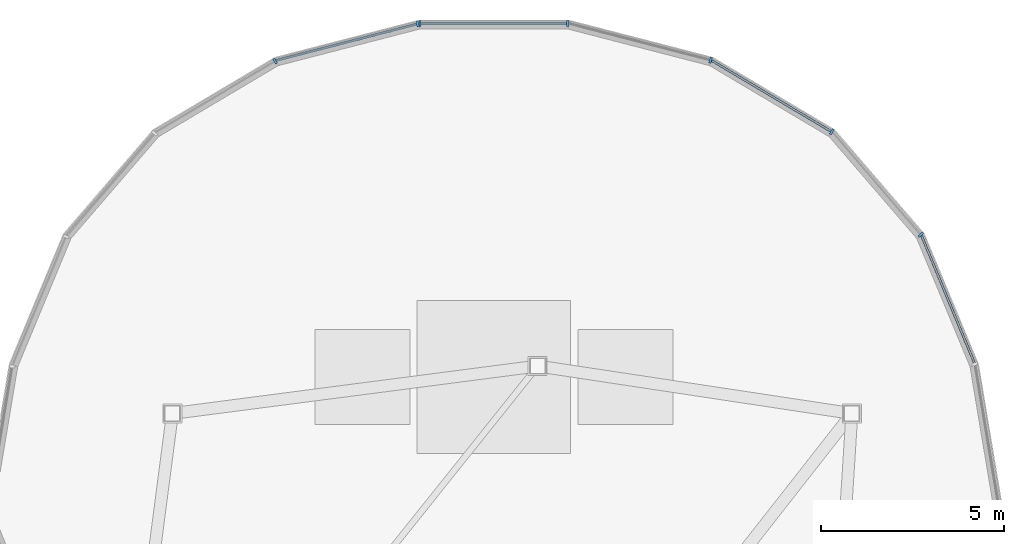
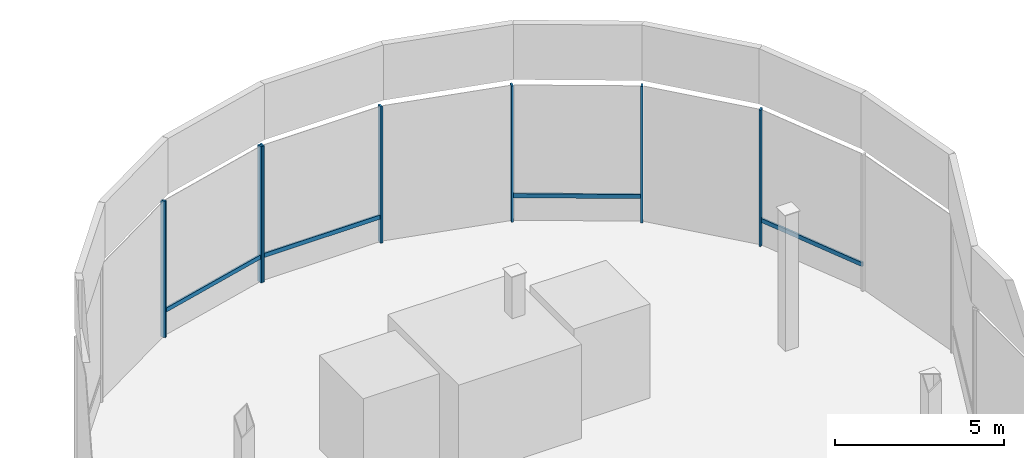
# One storey, part 8 of 14: 11 members, 2 elements without a shape of their own.
"""IFC4 building model written with IfcOpenShell, lengths in metres."""

from ifc_helpers import new_model, si_unit, direction, frame, origin, origin_2d, place, context, subcontext, project, spatial, rectangle, extrude, material, material_profile, profile_set, type_object, element, aggregate, save


model = new_model("IFC4")

# Units and contexts
model_context = context("Model", 3, precision=1e-05, world=origin(), true_north=direction((0.0, 1.0)))
body_context = subcontext(model_context, "Body", "Model", "MODEL_VIEW")
ifc_project = project(units=[si_unit("LENGTHUNIT", "METRE"), si_unit("AREAUNIT", "SQUARE_METRE"), si_unit("VOLUMEUNIT", "CUBIC_METRE"), si_unit("PLANEANGLEUNIT", "RADIAN"), si_unit("MASSUNIT", "GRAM", prefix="KILO"), si_unit("THERMODYNAMICTEMPERATUREUNIT", "KELVIN"), si_unit("POWERUNIT", "WATT")], contexts=[model_context])

# Site, building, storey
site_placement = place(None, origin())
site = spatial("IfcSite", under=ifc_project, at=site_placement, CompositionType="ELEMENT")
building_placement = place(site_placement, origin())
building = spatial("IfcBuilding", under=site, at=building_placement, Name="Cundina Bronze Exchange", CompositionType="ELEMENT")
storey_placement = place(building_placement, frame((0.0, 0.0, 286.39990234375)))
storey = spatial("IfcBuildingStorey", under=building, at=storey_placement, Name="L76", CompositionType="ELEMENT", Elevation=286.39990234375)

# Curtain wall, members
ifc_material = material(Name="Anodised Bronze Aluminium 6063-T6", Category="aluminium")
curtain_wall_type = type_object("IfcCurtainWallType", Name="CWS-CRN-TMD", PredefinedType="NOTDEFINED", material=ifc_material)
curtain_wall_1_placement = place(storey_placement, origin())
curtain_wall_1 = element("IfcCurtainWall", 1, at=curtain_wall_1_placement, inside=storey, type_object=curtain_wall_type, Name="L76 CW-07 Curtain Wall Run CWR-L76-E1", PredefinedType="NOTDEFINED")
ifc_material_profile_1 = material_profile(ifc_material, rectangle(XDim=0.06494140625, YDim=0.159912109375, at=origin_2d()), Name="AL65X160", Category="aluminium")
ifc_profile_set_1 = profile_set([ifc_material_profile_1], Name="Anodised Bronze Aluminium 6063-T6")
member_type_1 = type_object("IfcMemberType", Name="CWM-MUL-160", PredefinedType="MULLION", material=ifc_profile_set_1)
member_1_placement = place(storey_placement, frame((43.685546875, 14.394287109375, 0.0), z_axis=(0.0, 0.0, 1.0), x_axis=(-0.652495272634, 0.757792794364, 0.0)))
member_1 = element("IfcMember", 2, at=member_1_placement, type_object=member_type_1, Name="CW-07 Mullion 4", PredefinedType="MULLION", context=body_context, shape_type="SweptSolid", body=[
    extrude(rectangle(XDim=0.06494140625, YDim=0.159912109375, at=origin_2d()), origin(), (0.0, 0.0, 1.0), 4.93017578125),
])
member_2_placement = place(storey_placement, frame((41.248779296875, 17.210205078125, 0.0), z_axis=(0.0, 0.0, 1.0), x_axis=(-0.859763151952, 0.510692982667, 0.0)))
member_2 = element("IfcMember", 3, at=member_2_placement, type_object=member_type_1, Name="CW-07 Mullion 5", PredefinedType="MULLION", context=body_context, shape_type="SweptSolid", body=[
    extrude(rectangle(XDim=0.06494140625, YDim=0.159912109375, at=origin_2d()), origin(), (0.0, 0.0, 1.0), 4.93017578125),
])
member_3_placement = place(storey_placement, frame((37.932861328125, 19.169677734375, 0.0), z_axis=(0.0, 0.0, 1.0), x_axis=(-0.968147640378, 0.250380004054, 0.0)))
member_3 = element("IfcMember", 4, at=member_3_placement, type_object=member_type_1, Name="CW-07 Mullion 6", PredefinedType="MULLION", context=body_context, shape_type="SweptSolid", body=[
    extrude(rectangle(XDim=0.06494140625, YDim=0.159912109375, at=origin_2d()), origin(), (0.0, 0.0, 1.0), 4.93017578125),
])
member_4_placement = place(storey_placement, frame((34.0234375, 20.172119140625, 0.0), z_axis=(0.0, 0.0, 1.0), x_axis=(-1.0, 0.0, 0.0)))
member_4 = element("IfcMember", 5, at=member_4_placement, type_object=member_type_1, Name="CW-07 Mullion 7", PredefinedType="MULLION", context=body_context, shape_type="SweptSolid", body=[
    extrude(rectangle(XDim=0.06494140625, YDim=0.159912109375, at=origin_2d()), origin(), (0.0, 0.0, 1.0), 4.93017578125),
])
member_5_placement = place(storey_placement, frame((29.9765625, 20.172119140625, 0.0), z_axis=(0.0, 0.0, 1.0), x_axis=(-1.0, 0.0, 0.0)))
member_5 = element("IfcMember", 6, at=member_5_placement, type_object=member_type_1, Name="CW-07 End Mullion", PredefinedType="MULLION", context=body_context, shape_type="SweptSolid", body=[
    extrude(rectangle(XDim=0.06494140625, YDim=0.159912109375, at=origin_2d()), origin(), (0.0, 0.0, 1.0), 4.93017578125),
])

curtain_wall_2_placement = place(storey_placement, origin())
curtain_wall_2 = element("IfcCurtainWall", 7, at=curtain_wall_2_placement, inside=storey, type_object=curtain_wall_type, Name="L76 CW-07 Curtain Wall Run CWR-L76-E2", PredefinedType="NOTDEFINED")
member_6_placement = place(storey_placement, frame((29.912109375, 20.163818359375, 0.0), z_axis=(0.0, 0.0, 1.0), x_axis=(-0.968147640378, -0.250380004054, 0.0)))
member_6 = element("IfcMember", 8, at=member_6_placement, type_object=member_type_1, Name="CW-07 Mullion 1", PredefinedType="MULLION", context=body_context, shape_type="SweptSolid", body=[
    extrude(rectangle(XDim=0.06494140625, YDim=0.159912109375, at=origin_2d()), origin(), (0.0, 0.0, 1.0), 4.93017578125),
])
member_7_placement = place(storey_placement, frame((26.010009765625, 19.145751953125, 0.0), z_axis=(0.0, 0.0, 1.0), x_axis=(-0.859763151952, -0.510692982667, 0.0)))
member_7 = element("IfcMember", 9, at=member_7_placement, type_object=member_type_1, Name="CW-07 Mullion 2", PredefinedType="MULLION", context=body_context, shape_type="SweptSolid", body=[
    extrude(rectangle(XDim=0.06494140625, YDim=0.159912109375, at=origin_2d()), origin(), (0.0, 0.0, 1.0), 4.93017578125),
])

# Member
ifc_material_profile_2 = material_profile(ifc_material, rectangle(XDim=0.06494140625, YDim=0.14990234375, at=origin_2d()), Name="AL65X150", Category="aluminium")
ifc_profile_set_2 = profile_set([ifc_material_profile_2], Name="Anodised Bronze Aluminium 6063-T6")
member_type_2 = type_object("IfcMemberType", Name="CWM-TRN-150", PredefinedType="USERDEFINED", material=ifc_profile_set_2)
member_8_placement = place(storey_placement, frame((45.151611328125, 10.8896484375, 0.920166015625), z_axis=(-0.383683502182, 0.923464655606, 0.0), x_axis=(-0.923464655606, -0.383683502182, 0.0)))
member_8 = element("IfcMember", 10, at=member_8_placement, type_object=member_type_2, Name="CW-07 Spandrel Transom 3", ObjectType="TRANSOM", PredefinedType="USERDEFINED", context=body_context, shape_type="SweptSolid", body=[
    extrude(rectangle(XDim=0.06494140625, YDim=0.14990234375, at=origin_2d()), origin(), (0.0, 0.0, 1.0), 3.777099609375),
])

member_9_placement = place(storey_placement, frame((41.218017578125, 17.228515625, 0.920166015625), z_axis=(-0.859780509017, 0.510663760525, 0.0), x_axis=(-0.510663760525, -0.859780509017, 0.0)))
member_9 = element("IfcMember", 11, at=member_9_placement, type_object=member_type_2, Name="CW-07 Spandrel Transom 5", ObjectType="TRANSOM", PredefinedType="USERDEFINED", context=body_context, shape_type="SweptSolid", body=[
    extrude(rectangle(XDim=0.06494140625, YDim=0.14990234375, at=origin_2d()), origin(), (0.0, 0.0, 1.0), 3.790283203125),
])

member_10_placement = place(storey_placement, frame((33.98779296875, 20.172119140625, 0.920166015625), z_axis=(-1.0, 0.0, 0.0), x_axis=(0.0, -1.0, 0.0)))
member_10 = element("IfcMember", 12, at=member_10_placement, type_object=member_type_2, Name="CW-07 Spandrel Transom 7", ObjectType="TRANSOM", PredefinedType="USERDEFINED", context=body_context, shape_type="SweptSolid", body=[
    extrude(rectangle(XDim=0.06494140625, YDim=0.14990234375, at=origin_2d()), origin(), (0.0, 0.0, 1.0), 3.9755859375),
])

aggregate(curtain_wall_1, [member_8, member_1, member_2, member_9, member_3, member_4, member_5, member_10])

member_11_placement = place(storey_placement, frame((29.87744140625, 20.15478515625, 0.920166015625), z_axis=(-0.96816206864, -0.250324207474, 0.0), x_axis=(0.250324207474, -0.96816206864, 0.0)))
member_11 = element("IfcMember", 13, at=member_11_placement, type_object=member_type_2, Name="CW-07 Spandrel Transom 1", ObjectType="TRANSOM", PredefinedType="USERDEFINED", context=body_context, shape_type="SweptSolid", body=[
    extrude(rectangle(XDim=0.06494140625, YDim=0.14990234375, at=origin_2d()), origin(), (0.0, 0.0, 1.0), 3.971435546875),
])

aggregate(curtain_wall_2, [member_6, member_11, member_7])

save(model, "model.ifc")
